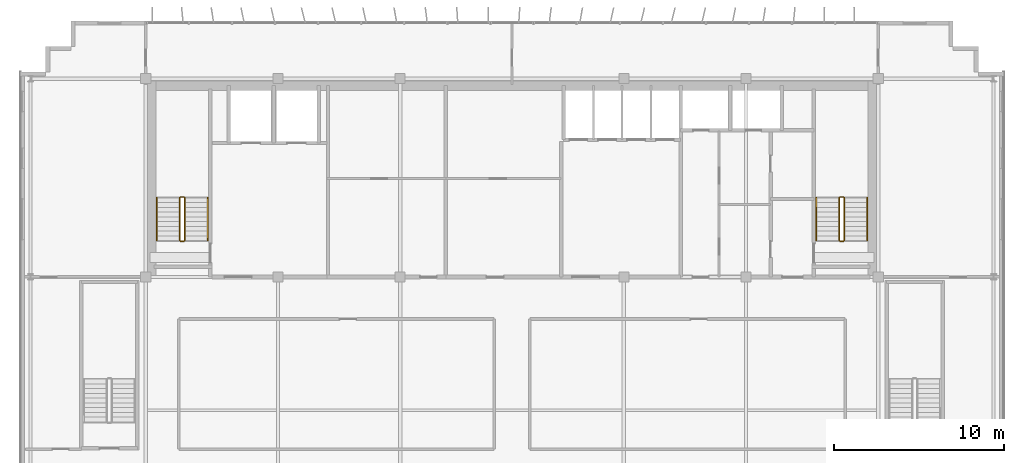
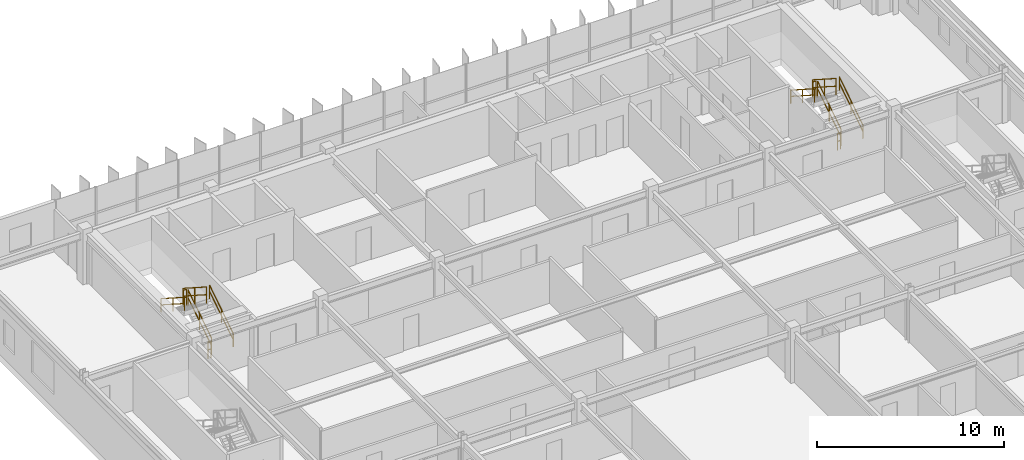
# One storey, part 28 of 28: 12 railings.
"""IFC4 building model written with IfcOpenShell, lengths in metres."""

import ifcopenshell
import ifcopenshell.guid

model = None  # the IFC model being written
_history = None  # IfcOwnerHistory: only IFC2X3 demands one
_inside = {}  # id of a spatial element -> (the spatial element, [elements in it])
_under = {}  # id of a project, library or spatial element -> (it, [spatial elements below it])
_declared = {}  # id of a project -> (the project, [libraries it declares])
_typed = {}  # id of a type object -> (the type object, [elements of that type])
_made_of = {}  # id of a material, layer set ... -> (it, [elements and type objects made of it])


def new_model(schema):
    """Start an empty IFC model of exactly this schema.

    Asked for "IFC4X3", IfcOpenShell would pick the latest addendum, in which some entities
    have other attributes; the version numbers below select the first issue.
    IFC2X3 requires an IfcOwnerHistory on every rooted entity: one is made here for all.
    """
    global model, _history
    if schema == "IFC4X3":
        model = ifcopenshell.file(schema_version=(4, 3, 0, 0))
    else:
        model = ifcopenshell.file(schema=schema)
    _inside.clear()
    _under.clear()
    _declared.clear()
    _typed.clear()
    _made_of.clear()
    _history = None
    if model.schema == "IFC2X3":
        org = make("IfcOrganization", Name="unknown")
        user = make(
            "IfcPersonAndOrganization",
            ThePerson=make("IfcPerson", FamilyName="unknown"),
            TheOrganization=org,
        )
        app = make(
            "IfcApplication",
            ApplicationDeveloper=org,
            Version="unknown",
            ApplicationFullName="unknown",
            ApplicationIdentifier="unknown",
        )
        _history = make(
            "IfcOwnerHistory",
            OwningUser=user,
            OwningApplication=app,
            ChangeAction="ADDED",
            CreationDate=0,
        )
    return model


def make(cls, **values):
    """One entity of the class cls with the attributes given. An attribute that is None is left unset."""
    return model.create_entity(
        cls, **{name: value for name, value in values.items() if value is not None}
    )


def rooted(cls, **values):
    """An entity with a GlobalId (a new one), such as an element, a storey or a relation."""
    return make(cls, GlobalId=ifcopenshell.guid.new(), OwnerHistory=_history, **values)


def si_unit(unit_type, name, prefix=None):
    """IfcSIUnit, for example si_unit("LENGTHUNIT", "METRE", prefix="MILLI")."""
    return make("IfcSIUnit", UnitType=unit_type, Prefix=prefix, Name=name)


def assignment(units):
    """IfcUnitAssignment: the units of a project."""
    return None if units is None else make("IfcUnitAssignment", Units=units)


def point(xyz):
    """IfcCartesianPoint."""
    return None if xyz is None else make("IfcCartesianPoint", Coordinates=xyz)


def direction(xyz):
    """IfcDirection."""
    return None if xyz is None else make("IfcDirection", DirectionRatios=xyz)


def frame(location, z_axis=None, x_axis=None):
    """IfcAxis2Placement3D, a coordinate frame: its origin and axes. An axis left out is left unset."""
    return make(
        "IfcAxis2Placement3D",
        Location=point(location),
        Axis=direction(z_axis),
        RefDirection=direction(x_axis),
    )


def frame_2d(location, x_axis=None):
    """IfcAxis2Placement2D, a coordinate frame in the plane: its origin and x axis."""
    return make(
        "IfcAxis2Placement2D", Location=point(location), RefDirection=direction(x_axis)
    )


def origin():
    """The frame at (0, 0, 0) with its axes left unset."""
    return frame((0.0, 0.0, 0.0))


def origin_2d():
    """The frame at (0, 0) in the plane with its x axis left unset."""
    return frame_2d((0.0, 0.0))


def place(relative_to, where):
    """IfcLocalPlacement: puts the frame where relative to a parent placement (None: the world)."""
    return make(
        "IfcLocalPlacement", PlacementRelTo=relative_to, RelativePlacement=where
    )


def context(
    kind, dimensions, precision=None, world=None, true_north=None, identifier=None
):
    """IfcGeometricRepresentationContext, for example the 3D "Model" context."""
    return make(
        "IfcGeometricRepresentationContext",
        ContextIdentifier=identifier,
        ContextType=kind,
        CoordinateSpaceDimension=dimensions,
        Precision=precision,
        WorldCoordinateSystem=world,
        TrueNorth=true_north,
    )


def subcontext(parent, identifier, kind, view, scale=None):
    """IfcGeometricRepresentationSubContext, for example "Body" below "Model"."""
    return make(
        "IfcGeometricRepresentationSubContext",
        ContextIdentifier=identifier,
        ContextType=kind,
        ParentContext=parent,
        TargetScale=scale,
        TargetView=view,
    )


def project(units=None, contexts=None):
    """IfcProject with its units and contexts."""
    return rooted(
        "IfcProject",
        Name="project",
        RepresentationContexts=contexts,
        UnitsInContext=assignment(units),
    )


def spatial(cls, under=None, at=None, **own):
    """A site, building, storey or space (cls), placed at a placement, below another one or the project."""
    s = rooted(cls, ObjectPlacement=at, **own)
    if under is not None:
        _under.setdefault(under.id(), (under, []))[1].append(s)
    return s


def profile(cls, at=None, kind="AREA", **sizes):
    """A parametric profile (cls). Its sizes go by their IFC names, for example OverallWidth=200.0."""
    return make(cls, ProfileType=kind, Position=at, **sizes)


def rectangle(**sizes):
    """IfcRectangleProfileDef."""
    return profile("IfcRectangleProfileDef", **sizes)


def extrude(swept, where, along, depth):
    """IfcExtrudedAreaSolid: the profile swept, set in the frame where, extruded along a direction by depth."""
    return make(
        "IfcExtrudedAreaSolid",
        SweptArea=swept,
        Position=where,
        ExtrudedDirection=direction(along),
        Depth=depth,
    )


def shape(context_of_items, identifier, shape_type, items):
    """IfcShapeRepresentation: the items that make up one representation, for example the "Body"."""
    return make(
        "IfcShapeRepresentation",
        ContextOfItems=context_of_items,
        RepresentationIdentifier=identifier,
        RepresentationType=shape_type,
        Items=items,
    )


def material(Name=None, Category=None):
    """IfcMaterial."""
    return make("IfcMaterial", Name=Name, Category=Category)


def made_of(thing, what):
    """Note that an element or type object is made of a material, layer set ...; save() writes the relation."""
    if what is not None:
        _made_of.setdefault(what.id(), (what, []))[1].append(thing)
    return thing


def type_object(cls, material=None, **own):
    """A type object (cls), such as IfcWallType, which elements share."""
    return made_of(rooted(cls, **own), material)


def element(
    cls,
    number,
    at=None,
    inside=None,
    cuts=None,
    type_object=None,
    material=None,
    context=None,
    identifier="Body",
    shape_type=None,
    held_by="IfcProductDefinitionShape",
    body=None,
    shapes=None,
    **own,
):
    """One element of the class cls, such as IfcWall. Its Tag is "e" and its number.

    at: its placement. inside: the storey or other place that contains it. cuts: it is an
    opening in that element (IfcRelVoidsElement). A single representation is given by context,
    identifier, shape_type and body (its items); several are given by shapes. held_by: the class
    of the entity that holds the representations. save() writes the other relations.
    """
    e = rooted(cls, Tag="e%d" % number, ObjectPlacement=at, **own)
    if body is not None:
        shapes = [shape(context, identifier, shape_type, body)]
    if shapes is not None:
        e.Representation = make(held_by, Representations=shapes)
    if inside is not None:
        _inside.setdefault(inside.id(), (inside, []))[1].append(e)
    if cuts is not None:
        rooted(
            "IfcRelVoidsElement", RelatingBuildingElement=cuts, RelatedOpeningElement=e
        )
    if type_object is not None:
        _typed.setdefault(type_object.id(), (type_object, []))[1].append(e)
    return made_of(e, material)


def aggregate(whole, parts):
    """IfcRelAggregates: a whole, such as a stair, and the parts it consists of."""
    return rooted("IfcRelAggregates", RelatingObject=whole, RelatedObjects=parts)


def save(model, path):
    """Write the relations noted so far, then the file.

    IfcRelAggregates (storeys below a building ...), IfcRelContainedInSpatialStructure (elements
    in a storey), IfcRelDefinesByType, IfcRelAssociatesMaterial and IfcRelDeclares: one each for
    every whole, place, type object, material and project.
    """
    for whole, parts in _under.values():
        aggregate(whole, parts)
    for where, things in _inside.values():
        rooted(
            "IfcRelContainedInSpatialStructure",
            RelatedElements=things,
            RelatingStructure=where,
        )
    for kind, things in _typed.values():
        rooted("IfcRelDefinesByType", RelatedObjects=things, RelatingType=kind)
    for what, things in _made_of.values():
        rooted("IfcRelAssociatesMaterial", RelatedObjects=things, RelatingMaterial=what)
    for by, libraries in _declared.values():
        rooted("IfcRelDeclares", RelatingContext=by, RelatedDefinitions=libraries)
    model.write(path)


model = new_model("IFC4")

# Units and contexts
model_context = context("Model", 3, precision=1e-05, world=origin(), true_north=direction((0.0, 1.0)))
body_context = subcontext(model_context, "Body", "Model", "MODEL_VIEW")
ifc_project = project(units=[si_unit("LENGTHUNIT", "METRE"), si_unit("AREAUNIT", "SQUARE_METRE"), si_unit("VOLUMEUNIT", "CUBIC_METRE"), si_unit("PLANEANGLEUNIT", "RADIAN"), si_unit("MASSUNIT", "GRAM", prefix="KILO")], contexts=[model_context])

# Site, building, storey
site_placement = place(None, origin())
site = spatial("IfcSite", under=ifc_project, at=site_placement, CompositionType="ELEMENT")
building_placement = place(site_placement, origin())
building = spatial("IfcBuilding", under=site, at=building_placement, Name="Trelvane Seafront Commons", CompositionType="ELEMENT")
storey_placement = place(building_placement, frame((0.0, 0.0, 295.5)))
storey = spatial("IfcBuildingStorey", under=building, at=storey_placement, Name="L77", CompositionType="ELEMENT", Elevation=295.5)

# Railings
ifc_material = material(Name="Stainless steel balustrade", Category="steel")
railing_type_1 = type_object("IfcRailingType", Name="ARCH-SRL-GUARD", PredefinedType="GUARDRAIL", material=ifc_material)
railing_1_placement = place(storey_placement, frame((17.89990234375, 35.550048828125, 0.179931640625)))
element("IfcRailing", 1, at=railing_1_placement, inside=storey, type_object=railing_type_1, Name="L77 ST-1 stair guard 1", PredefinedType="GUARDRAIL", context=body_context, shape_type="SweptSolid", body=[
    extrude(rectangle(XDim=0.048095703125, YDim=0.048095703125, at=origin_2d()), frame((0.0, 0.0, 1.076171875), z_axis=(0.0, 0.841162588446, 0.540782303519), x_axis=(-1.0, 0.0, 0.0)), (0.0, 0.0, 1.0), 2.995849609375),
    extrude(rectangle(XDim=0.048095703125, YDim=0.048095703125, at=origin_2d()), frame((0.0, 0.0, 0.572021484375), z_axis=(0.0, 0.841162588446, 0.540782303519), x_axis=(-1.0, 0.0, 0.0)), (0.0, 0.0, 1.0), 2.995849609375),
    extrude(rectangle(XDim=0.0419921875, YDim=0.0419921875, at=origin_2d()), origin(), (0.0, 0.0, 1.0), 1.076171875),
    extrude(rectangle(XDim=0.0419921875, YDim=0.0419921875, at=origin_2d()), frame((0.0, 1.260009765625, 0.81005859375)), (0.0, 0.0, 1.0), 1.076171875),
    extrude(rectangle(XDim=0.0419921875, YDim=0.0419921875, at=origin_2d()), frame((0.0, 2.52001953125, 1.6201171875)), (0.0, 0.0, 1.0), 1.076171875),
])
railing_2_placement = place(storey_placement, frame((17.85009765625, 38.1201171875, 1.800048828125)))
element("IfcRailing", 2, at=railing_2_placement, inside=storey, type_object=railing_type_1, Name="L77 ST-1 stair guard 2", PredefinedType="GUARDRAIL", context=body_context, shape_type="SweptSolid", body=[
    extrude(rectangle(XDim=0.048095703125, YDim=0.048095703125, at=origin_2d()), frame((0.0, 0.0, 1.076171875), z_axis=(-1.0, 0.0, 0.0), x_axis=(0.0, -1.0, 0.0)), (0.0, 0.0, 1.0), 0.2001953125),
    extrude(rectangle(XDim=0.048095703125, YDim=0.048095703125, at=origin_2d()), frame((0.0, 0.0, 0.572021484375), z_axis=(-1.0, 0.0, 0.0), x_axis=(0.0, -1.0, 0.0)), (0.0, 0.0, 1.0), 0.2001953125),
    extrude(rectangle(XDim=0.0419921875, YDim=0.0419921875, at=origin_2d()), origin(), (0.0, 0.0, 1.0), 1.076171875),
    extrude(rectangle(XDim=0.0419921875, YDim=0.0419921875, at=origin_2d()), frame((-0.2001953125, 0.0, 0.0)), (0.0, 0.0, 1.0), 1.076171875),
])
railing_3_placement = place(storey_placement, frame((17.60009765625, 38.070068359375, 1.97998046875)))
element("IfcRailing", 3, at=railing_3_placement, inside=storey, type_object=railing_type_1, Name="L77 ST-1 stair guard 3", PredefinedType="GUARDRAIL", context=body_context, shape_type="SweptSolid", body=[
    extrude(rectangle(XDim=0.048095703125, YDim=0.048095703125, at=origin_2d()), frame((0.0, 0.0, 1.076171875), z_axis=(0.0, -0.841162588446, 0.540782303519), x_axis=(1.0, 0.0, 0.0)), (0.0, 0.0, 1.0), 2.995849609375),
    extrude(rectangle(XDim=0.048095703125, YDim=0.048095703125, at=origin_2d()), frame((0.0, 0.0, 0.572021484375), z_axis=(0.0, -0.841162588446, 0.540782303519), x_axis=(1.0, 0.0, 0.0)), (0.0, 0.0, 1.0), 2.995849609375),
    extrude(rectangle(XDim=0.0419921875, YDim=0.0419921875, at=origin_2d()), origin(), (0.0, 0.0, 1.0), 1.076171875),
    extrude(rectangle(XDim=0.0419921875, YDim=0.0419921875, at=origin_2d()), frame((0.0, -1.260009765625, 0.81005859375)), (0.0, 0.0, 1.0), 1.076171875),
    extrude(rectangle(XDim=0.0419921875, YDim=0.0419921875, at=origin_2d()), frame((0.0, -2.52001953125, 1.6201171875)), (0.0, 0.0, 1.0), 1.076171875),
])
railing_4_placement = place(storey_placement, frame((17.85009765625, 35.5, 0.0)))
element("IfcRailing", 4, at=railing_4_placement, inside=storey, type_object=railing_type_1, Name="L77 ST-1 stair guard 4", PredefinedType="GUARDRAIL", context=body_context, shape_type="SweptSolid", body=[
    extrude(rectangle(XDim=0.048095703125, YDim=0.048095703125, at=origin_2d()), frame((0.0, 0.0, 1.076171875), z_axis=(-1.0, 0.0, 0.0), x_axis=(0.0, -1.0, 0.0)), (0.0, 0.0, 1.0), 0.2001953125),
    extrude(rectangle(XDim=0.048095703125, YDim=0.048095703125, at=origin_2d()), frame((0.0, 0.0, 0.572021484375), z_axis=(-1.0, 0.0, 0.0), x_axis=(0.0, -1.0, 0.0)), (0.0, 0.0, 1.0), 0.2001953125),
    extrude(rectangle(XDim=0.0419921875, YDim=0.0419921875, at=origin_2d()), origin(), (0.0, 0.0, 1.0), 1.076171875),
    extrude(rectangle(XDim=0.0419921875, YDim=0.0419921875, at=origin_2d()), frame((-0.2001953125, 0.0, 0.0)), (0.0, 0.0, 1.0), 1.076171875),
])
railing_5_placement = place(storey_placement, frame((56.800048828125, 35.550048828125, 0.179931640625)))
element("IfcRailing", 5, at=railing_5_placement, inside=storey, type_object=railing_type_1, Name="L77 ST-2 stair guard 1", PredefinedType="GUARDRAIL", context=body_context, shape_type="SweptSolid", body=[
    extrude(rectangle(XDim=0.048095703125, YDim=0.048095703125, at=origin_2d()), frame((0.0, 0.0, 1.076171875), z_axis=(0.0, 0.841162588446, 0.540782303519), x_axis=(-1.0, 0.0, 0.0)), (0.0, 0.0, 1.0), 2.995849609375),
    extrude(rectangle(XDim=0.048095703125, YDim=0.048095703125, at=origin_2d()), frame((0.0, 0.0, 0.572021484375), z_axis=(0.0, 0.841162588446, 0.540782303519), x_axis=(-1.0, 0.0, 0.0)), (0.0, 0.0, 1.0), 2.995849609375),
    extrude(rectangle(XDim=0.0419921875, YDim=0.0419921875, at=origin_2d()), origin(), (0.0, 0.0, 1.0), 1.076171875),
    extrude(rectangle(XDim=0.0419921875, YDim=0.0419921875, at=origin_2d()), frame((0.0, 1.260009765625, 0.81005859375)), (0.0, 0.0, 1.0), 1.076171875),
    extrude(rectangle(XDim=0.0419921875, YDim=0.0419921875, at=origin_2d()), frame((0.0, 2.52001953125, 1.6201171875)), (0.0, 0.0, 1.0), 1.076171875),
])
railing_6_placement = place(storey_placement, frame((56.75, 38.1201171875, 1.800048828125)))
element("IfcRailing", 6, at=railing_6_placement, inside=storey, type_object=railing_type_1, Name="L77 ST-2 stair guard 2", PredefinedType="GUARDRAIL", context=body_context, shape_type="SweptSolid", body=[
    extrude(rectangle(XDim=0.048095703125, YDim=0.048095703125, at=origin_2d()), frame((0.0, 0.0, 1.076171875), z_axis=(-1.0, 0.0, 0.0), x_axis=(0.0, -1.0, 0.0)), (0.0, 0.0, 1.0), 0.199951171875),
    extrude(rectangle(XDim=0.048095703125, YDim=0.048095703125, at=origin_2d()), frame((0.0, 0.0, 0.572021484375), z_axis=(-1.0, 0.0, 0.0), x_axis=(0.0, -1.0, 0.0)), (0.0, 0.0, 1.0), 0.199951171875),
    extrude(rectangle(XDim=0.0419921875, YDim=0.0419921875, at=origin_2d()), origin(), (0.0, 0.0, 1.0), 1.076171875),
    extrude(rectangle(XDim=0.0419921875, YDim=0.0419921875, at=origin_2d()), frame((-0.199951171875, 0.0, 0.0)), (0.0, 0.0, 1.0), 1.076171875),
])
railing_7_placement = place(storey_placement, frame((56.5, 38.070068359375, 1.97998046875)))
element("IfcRailing", 7, at=railing_7_placement, inside=storey, type_object=railing_type_1, Name="L77 ST-2 stair guard 3", PredefinedType="GUARDRAIL", context=body_context, shape_type="SweptSolid", body=[
    extrude(rectangle(XDim=0.048095703125, YDim=0.048095703125, at=origin_2d()), frame((0.0, 0.0, 1.076171875), z_axis=(0.0, -0.841162588446, 0.540782303519), x_axis=(1.0, 0.0, 0.0)), (0.0, 0.0, 1.0), 2.995849609375),
    extrude(rectangle(XDim=0.048095703125, YDim=0.048095703125, at=origin_2d()), frame((0.0, 0.0, 0.572021484375), z_axis=(0.0, -0.841162588446, 0.540782303519), x_axis=(1.0, 0.0, 0.0)), (0.0, 0.0, 1.0), 2.995849609375),
    extrude(rectangle(XDim=0.0419921875, YDim=0.0419921875, at=origin_2d()), origin(), (0.0, 0.0, 1.0), 1.076171875),
    extrude(rectangle(XDim=0.0419921875, YDim=0.0419921875, at=origin_2d()), frame((0.0, -1.260009765625, 0.81005859375)), (0.0, 0.0, 1.0), 1.076171875),
    extrude(rectangle(XDim=0.0419921875, YDim=0.0419921875, at=origin_2d()), frame((0.0, -2.52001953125, 1.6201171875)), (0.0, 0.0, 1.0), 1.076171875),
])
railing_8_placement = place(storey_placement, frame((56.75, 35.5, 0.0)))
element("IfcRailing", 8, at=railing_8_placement, inside=storey, type_object=railing_type_1, Name="L77 ST-2 stair guard 4", PredefinedType="GUARDRAIL", context=body_context, shape_type="SweptSolid", body=[
    extrude(rectangle(XDim=0.048095703125, YDim=0.048095703125, at=origin_2d()), frame((0.0, 0.0, 1.076171875), z_axis=(-1.0, 0.0, 0.0), x_axis=(0.0, -1.0, 0.0)), (0.0, 0.0, 1.0), 0.199951171875),
    extrude(rectangle(XDim=0.048095703125, YDim=0.048095703125, at=origin_2d()), frame((0.0, 0.0, 0.572021484375), z_axis=(-1.0, 0.0, 0.0), x_axis=(0.0, -1.0, 0.0)), (0.0, 0.0, 1.0), 0.199951171875),
    extrude(rectangle(XDim=0.0419921875, YDim=0.0419921875, at=origin_2d()), origin(), (0.0, 0.0, 1.0), 1.076171875),
    extrude(rectangle(XDim=0.0419921875, YDim=0.0419921875, at=origin_2d()), frame((-0.199951171875, 0.0, 0.0)), (0.0, 0.0, 1.0), 1.076171875),
])
railing_type_2 = type_object("IfcRailingType", Name="ARCH-SRL-HAND", PredefinedType="HANDRAIL", material=ifc_material)
railing_9_placement = place(storey_placement, frame((19.25, 35.550048828125, 0.179931640625)))
element("IfcRailing", 9, at=railing_9_placement, inside=storey, type_object=railing_type_2, Name="L77 ST-1 stair handrail 1", PredefinedType="HANDRAIL", context=body_context, shape_type="SweptSolid", body=[
    extrude(rectangle(XDim=0.048095703125, YDim=0.048095703125, at=origin_2d()), frame((0.0, 0.0, 0.8759765625), z_axis=(0.0, 0.841162588446, 0.540782303519), x_axis=(-1.0, 0.0, 0.0)), (0.0, 0.0, 1.0), 2.995849609375),
    extrude(rectangle(XDim=0.048095703125, YDim=0.048095703125, at=origin_2d()), frame((0.0, 0.0, 0.468017578125), z_axis=(0.0, 0.841162588446, 0.540782303519), x_axis=(-1.0, 0.0, 0.0)), (0.0, 0.0, 1.0), 2.995849609375),
    extrude(rectangle(XDim=0.0419921875, YDim=0.0419921875, at=origin_2d()), origin(), (0.0, 0.0, 1.0), 0.8759765625),
    extrude(rectangle(XDim=0.0419921875, YDim=0.0419921875, at=origin_2d()), frame((0.0, 1.260009765625, 0.81005859375)), (0.0, 0.0, 1.0), 0.8759765625),
    extrude(rectangle(XDim=0.0419921875, YDim=0.0419921875, at=origin_2d()), frame((0.0, 2.52001953125, 1.6201171875)), (0.0, 0.0, 1.0), 0.8759765625),
])
railing_10_placement = place(storey_placement, frame((16.25, 38.070068359375, 1.97998046875)))
element("IfcRailing", 10, at=railing_10_placement, inside=storey, type_object=railing_type_2, Name="L77 ST-1 stair handrail 2", PredefinedType="HANDRAIL", context=body_context, shape_type="SweptSolid", body=[
    extrude(rectangle(XDim=0.048095703125, YDim=0.048095703125, at=origin_2d()), frame((0.0, 0.0, 0.8759765625), z_axis=(0.0, -0.841162588446, 0.540782303519), x_axis=(1.0, 0.0, 0.0)), (0.0, 0.0, 1.0), 2.995849609375),
    extrude(rectangle(XDim=0.048095703125, YDim=0.048095703125, at=origin_2d()), frame((0.0, 0.0, 0.468017578125), z_axis=(0.0, -0.841162588446, 0.540782303519), x_axis=(1.0, 0.0, 0.0)), (0.0, 0.0, 1.0), 2.995849609375),
    extrude(rectangle(XDim=0.0419921875, YDim=0.0419921875, at=origin_2d()), origin(), (0.0, 0.0, 1.0), 0.8759765625),
    extrude(rectangle(XDim=0.0419921875, YDim=0.0419921875, at=origin_2d()), frame((0.0, -1.260009765625, 0.81005859375)), (0.0, 0.0, 1.0), 0.8759765625),
    extrude(rectangle(XDim=0.0419921875, YDim=0.0419921875, at=origin_2d()), frame((0.0, -2.52001953125, 1.6201171875)), (0.0, 0.0, 1.0), 0.8759765625),
])
railing_11_placement = place(storey_placement, frame((58.14990234375, 35.550048828125, 0.179931640625)))
element("IfcRailing", 11, at=railing_11_placement, inside=storey, type_object=railing_type_2, Name="L77 ST-2 stair handrail 1", PredefinedType="HANDRAIL", context=body_context, shape_type="SweptSolid", body=[
    extrude(rectangle(XDim=0.048095703125, YDim=0.048095703125, at=origin_2d()), frame((0.0, 0.0, 0.8759765625), z_axis=(0.0, 0.841162588446, 0.540782303519), x_axis=(-1.0, 0.0, 0.0)), (0.0, 0.0, 1.0), 2.995849609375),
    extrude(rectangle(XDim=0.048095703125, YDim=0.048095703125, at=origin_2d()), frame((0.0, 0.0, 0.468017578125), z_axis=(0.0, 0.841162588446, 0.540782303519), x_axis=(-1.0, 0.0, 0.0)), (0.0, 0.0, 1.0), 2.995849609375),
    extrude(rectangle(XDim=0.0419921875, YDim=0.0419921875, at=origin_2d()), origin(), (0.0, 0.0, 1.0), 0.8759765625),
    extrude(rectangle(XDim=0.0419921875, YDim=0.0419921875, at=origin_2d()), frame((0.0, 1.260009765625, 0.81005859375)), (0.0, 0.0, 1.0), 0.8759765625),
    extrude(rectangle(XDim=0.0419921875, YDim=0.0419921875, at=origin_2d()), frame((0.0, 2.52001953125, 1.6201171875)), (0.0, 0.0, 1.0), 0.8759765625),
])
railing_12_placement = place(storey_placement, frame((55.14990234375, 38.070068359375, 1.97998046875)))
element("IfcRailing", 12, at=railing_12_placement, inside=storey, type_object=railing_type_2, Name="L77 ST-2 stair handrail 2", PredefinedType="HANDRAIL", context=body_context, shape_type="SweptSolid", body=[
    extrude(rectangle(XDim=0.048095703125, YDim=0.048095703125, at=origin_2d()), frame((0.0, 0.0, 0.8759765625), z_axis=(0.0, -0.841162588446, 0.540782303519), x_axis=(1.0, 0.0, 0.0)), (0.0, 0.0, 1.0), 2.995849609375),
    extrude(rectangle(XDim=0.048095703125, YDim=0.048095703125, at=origin_2d()), frame((0.0, 0.0, 0.468017578125), z_axis=(0.0, -0.841162588446, 0.540782303519), x_axis=(1.0, 0.0, 0.0)), (0.0, 0.0, 1.0), 2.995849609375),
    extrude(rectangle(XDim=0.0419921875, YDim=0.0419921875, at=origin_2d()), origin(), (0.0, 0.0, 1.0), 0.8759765625),
    extrude(rectangle(XDim=0.0419921875, YDim=0.0419921875, at=origin_2d()), frame((0.0, -1.260009765625, 0.81005859375)), (0.0, 0.0, 1.0), 0.8759765625),
    extrude(rectangle(XDim=0.0419921875, YDim=0.0419921875, at=origin_2d()), frame((0.0, -2.52001953125, 1.6201171875)), (0.0, 0.0, 1.0), 0.8759765625),
])

save(model, "model.ifc")
